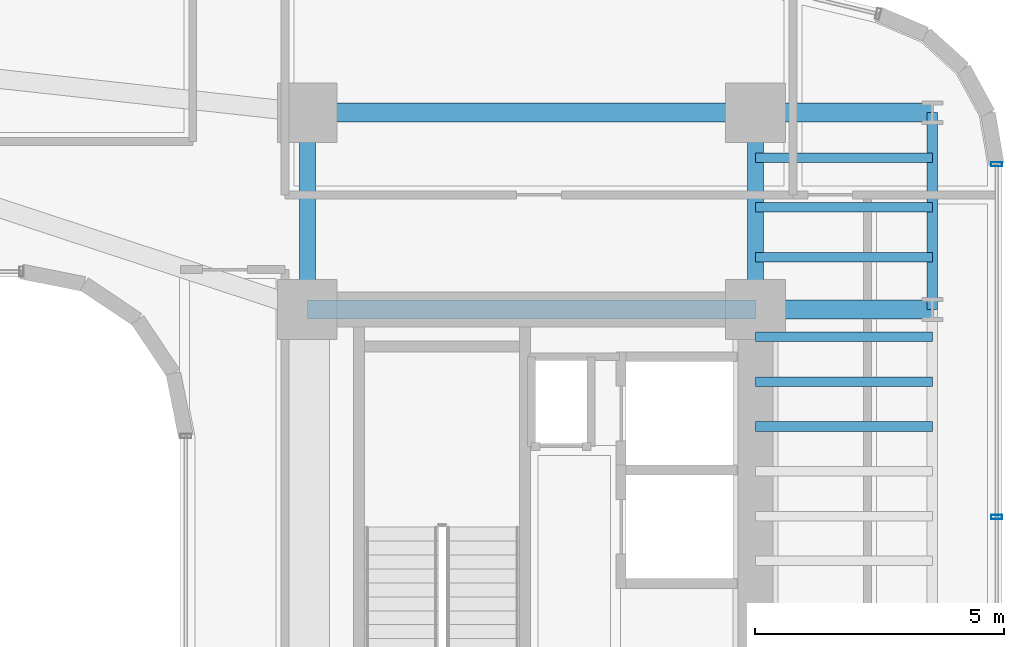
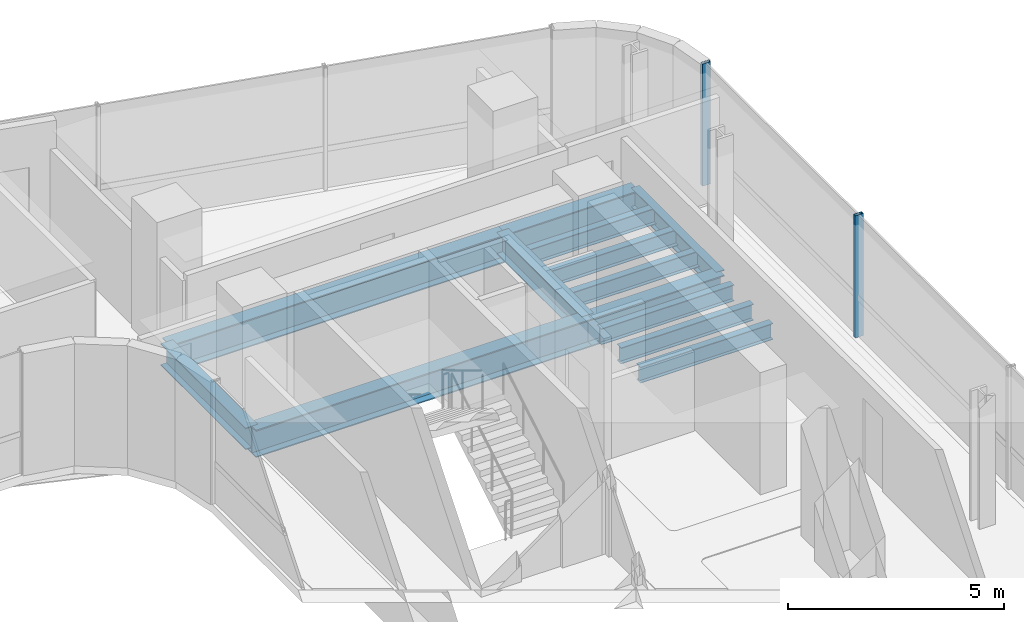
# One storey, part 18 of 35: 13 beams, 2 members, 1 element without a shape of its own.
"""IFC4 building model written with IfcOpenShell, lengths in metres."""

from ifc_helpers import new_model, si_unit, direction, frame, origin, origin_2d, place, context, subcontext, project, spatial, hollow_rectangle, i_section, extrude, source, transform, mapped, material, material_profile, profile_set, type_object, element, aggregate, save


model = new_model("IFC4")

# Units and contexts
model_context = context("Model", 3, precision=1e-05, world=origin(), true_north=direction((0.0, 1.0)))
body_context = subcontext(model_context, "Body", "Model", "MODEL_VIEW")
ifc_project = project(units=[si_unit("LENGTHUNIT", "METRE"), si_unit("AREAUNIT", "SQUARE_METRE"), si_unit("VOLUMEUNIT", "CUBIC_METRE"), si_unit("PLANEANGLEUNIT", "RADIAN"), si_unit("MASSUNIT", "GRAM", prefix="KILO")], contexts=[model_context])

# Site, building, storey
site_placement = place(None, origin())
site = spatial("IfcSite", under=ifc_project, at=site_placement, CompositionType="ELEMENT")
building_placement = place(site_placement, origin())
building = spatial("IfcBuilding", under=site, at=building_placement, Name="Valdorenza Pilgrim Sanctuary Tower", CompositionType="ELEMENT")
storey_placement = place(building_placement, frame((0.0, 0.0, 124.199951171875)))
storey = spatial("IfcBuildingStorey", under=building, at=storey_placement, Name="L31", CompositionType="ELEMENT", Elevation=124.199951171875)

# Beams
ifc_material_1 = material(Name="Steel ASTM A992 Grade 50", Category="steel")
ifc_material_profile_1 = material_profile(ifc_material_1, i_section(OverallWidth=0.323974609375, OverallDepth=0.611083984375, WebThickness=0.0126953125, FlangeThickness=0.01904296875, at=origin_2d()), Name="W24X104")
ifc_profile_set_1 = profile_set([ifc_material_profile_1], Name="Steel ASTM A992 Grade 50")
beam_type_1 = type_object("IfcBeamType", Name="STR-BM-GRD-W24B", PredefinedType="BEAM", material=ifc_profile_set_1)
shared_shape_1 = source(origin(), body_context, "Body", "SweptSolid", [
    extrude(i_section(OverallWidth=0.323974609375, OverallDepth=0.611083984375, WebThickness=0.0126953125, FlangeThickness=0.01904296875, at=origin_2d()), origin(), (0.0, 0.0, 1.0), 3.949951171875),
])
for number, where, z_axis, x_axis, name in (
    (1, (15.85009765625, 9.550048828125, -0.54541015625), (0.0, 1.0, 0.0), (-1.0, 0.0, 0.0), "L31 Core Tie Girder CB-W-N1N2"),
    (2, (24.85009765625, 9.550048828125, -0.54541015625), (0.0, 1.0, 0.0), (-1.0, 0.0, 0.0), "L31 Core Tie Girder CB-E-N1N2"),
):
    element("IfcBeam", number, at=place(storey_placement, frame(where, z_axis=z_axis, x_axis=x_axis)), inside=storey, type_object=beam_type_1, Name=name, PredefinedType="BEAM", context=body_context, shape_type="MappedRepresentation", body=[
        mapped(shared_shape_1, transform((0.0, 0.0, 0.0), x_axis=(1.0, 0.0, 0.0), y_axis=(0.0, 1.0, 0.0), z_axis=(0.0, 0.0, 1.0), scale=1.0)),
    ])
ifc_material_profile_2 = material_profile(ifc_material_1, i_section(OverallWidth=0.214111328125, OverallDepth=0.549072265625, WebThickness=0.0146484375, FlangeThickness=0.023681640625, at=origin_2d()), Name="W21X93")
ifc_profile_set_2 = profile_set([ifc_material_profile_2], Name="Steel ASTM A992 Grade 50")
beam_type_2 = type_object("IfcBeamType", Name="STR-BM-SPN-W21A", PredefinedType="SPANDREL", material=ifc_profile_set_2)
shared_shape_2 = source(origin(), body_context, "Body", "SweptSolid", [
    extrude(i_section(OverallWidth=0.214111328125, OverallDepth=0.549072265625, WebThickness=0.0146484375, FlangeThickness=0.023681640625, at=origin_2d()), origin(), (0.0, 0.0, 1.0), 3.949951171875),
])
beam_placement = place(storey_placement, frame((28.39990234375, 9.550048828125, -0.514404296875), z_axis=(0.0, 1.0, 0.0), x_axis=(-1.0, 0.0, 0.0)))
element("IfcBeam", 3, at=beam_placement, inside=storey, type_object=beam_type_2, Name="L31 Spandrel Beam WB-E-N1N2", PredefinedType="SPANDREL", context=body_context, shape_type="MappedRepresentation", body=[
    mapped(shared_shape_2, transform((0.0, 0.0, 0.0), x_axis=(1.0, 0.0, 0.0), y_axis=(0.0, 1.0, 0.0), z_axis=(0.0, 0.0, 1.0), scale=1.0)),
])
ifc_material_profile_3 = material_profile(ifc_material_1, i_section(OverallWidth=0.382080078125, OverallDepth=0.779052734375, WebThickness=0.01806640625, FlangeThickness=0.030029296875, at=origin_2d()), Name="W30X191")
ifc_profile_set_3 = profile_set([ifc_material_profile_3], Name="Steel ASTM A992 Grade 50")
beam_type_3 = type_object("IfcBeamType", Name="STR-BM-GRD-W30", PredefinedType="BEAM", material=ifc_profile_set_3)
shared_shape_3 = source(origin(), body_context, "Body", "SweptSolid", [
    extrude(i_section(OverallWidth=0.382080078125, OverallDepth=0.779052734375, WebThickness=0.01806640625, FlangeThickness=0.030029296875, at=origin_2d()), origin(), (0.0, 0.0, 1.0), 9.0),
])
for number, where, z_axis, x_axis, name in (
    (4, (15.85009765625, 9.550048828125, -0.62939453125), (1.0, 0.0, 0.0), (0.0, 1.0, 0.0), "L31 Floor Girder CB-XC-N1"),
    (5, (15.85009765625, 13.5, -0.62939453125), (1.0, 0.0, 0.0), (0.0, 1.0, 0.0), "L31 Floor Girder CB-XC-N2"),
):
    element("IfcBeam", number, at=place(storey_placement, frame(where, z_axis=z_axis, x_axis=x_axis)), inside=storey, type_object=beam_type_3, Name=name, PredefinedType="BEAM", context=body_context, shape_type="MappedRepresentation", body=[
        mapped(shared_shape_3, transform((0.0, 0.0, 0.0), x_axis=(1.0, 0.0, 0.0), y_axis=(0.0, 1.0, 0.0), z_axis=(0.0, 0.0, 1.0), scale=1.0)),
    ])
shared_shape_4 = source(origin(), body_context, "Body", "SweptSolid", [
    extrude(i_section(OverallWidth=0.382080078125, OverallDepth=0.779052734375, WebThickness=0.01806640625, FlangeThickness=0.030029296875, at=origin_2d()), origin(), (0.0, 0.0, 1.0), 3.5498046875),
])
for number, where, z_axis, x_axis, name in (
    (6, (24.85009765625, 9.550048828125, -0.62939453125), (1.0, 0.0, 0.0), (0.0, 1.0, 0.0), "L31 Floor Girder WB-XE-N1"),
    (7, (24.85009765625, 13.5, -0.62939453125), (1.0, 0.0, 0.0), (0.0, 1.0, 0.0), "L31 Floor Girder WB-XE-N2"),
):
    element("IfcBeam", number, at=place(storey_placement, frame(where, z_axis=z_axis, x_axis=x_axis)), inside=storey, type_object=beam_type_3, Name=name, PredefinedType="BEAM", context=body_context, shape_type="MappedRepresentation", body=[
        mapped(shared_shape_4, transform((0.0, 0.0, 0.0), x_axis=(1.0, 0.0, 0.0), y_axis=(0.0, 1.0, 0.0), z_axis=(0.0, 0.0, 1.0), scale=1.0)),
    ])
ifc_material_profile_4 = material_profile(ifc_material_1, i_section(OverallWidth=0.19091796875, OverallDepth=0.45703125, WebThickness=0.009033203125, FlangeThickness=0.014404296875, at=origin_2d()), Name="W18X50")
ifc_profile_set_4 = profile_set([ifc_material_profile_4], Name="Steel ASTM A992 Grade 50")
beam_type_4 = type_object("IfcBeamType", Name="STR-BM-JST-W18B", PredefinedType="JOIST", material=ifc_profile_set_4)
shared_shape_5 = source(origin(), body_context, "Body", "SweptSolid", [
    extrude(i_section(OverallWidth=0.19091796875, OverallDepth=0.45703125, WebThickness=0.009033203125, FlangeThickness=0.014404296875, at=origin_2d()), origin(), (0.0, 0.0, 1.0), 3.5498046875),
])
for number, where, z_axis, x_axis, name in (
    (8, (24.85009765625, 7.199951171875, -0.468505859375), (1.0, 0.0, 0.0), (0.0, 1.0, 0.0), "L31 Composite Floor Joist JST-WB-16"),
    (9, (24.85009765625, 8.10009765625, -0.468505859375), (1.0, 0.0, 0.0), (0.0, 1.0, 0.0), "L31 Composite Floor Joist JST-WB-17"),
    (10, (24.85009765625, 9.0, -0.468505859375), (1.0, 0.0, 0.0), (0.0, 1.0, 0.0), "L31 Composite Floor Joist JST-WB-18"),
    (11, (24.85009765625, 10.60009765625, -0.468505859375), (1.0, 0.0, 0.0), (0.0, 1.0, 0.0), "L31 Composite Floor Joist JST-WB-19"),
    (12, (24.85009765625, 11.60009765625, -0.468505859375), (1.0, 0.0, 0.0), (0.0, 1.0, 0.0), "L31 Composite Floor Joist JST-WB-20"),
    (13, (24.85009765625, 12.60009765625, -0.468505859375), (1.0, 0.0, 0.0), (0.0, 1.0, 0.0), "L31 Composite Floor Joist JST-WB-21"),
):
    element("IfcBeam", number, at=place(storey_placement, frame(where, z_axis=z_axis, x_axis=x_axis)), inside=storey, type_object=beam_type_4, Name=name, PredefinedType="JOIST", context=body_context, shape_type="MappedRepresentation", body=[
        mapped(shared_shape_5, transform((0.0, 0.0, 0.0), x_axis=(1.0, 0.0, 0.0), y_axis=(0.0, 1.0, 0.0), z_axis=(0.0, 0.0, 1.0), scale=1.0)),
    ])

# Curtain wall, members
ifc_material_2 = material(Name="Curtain-wall IGU glazing", Category="glass")
curtain_wall_type = type_object("IfcCurtainWallType", Name="CW-SYS-03", PredefinedType="NOTDEFINED", material=ifc_material_2)
curtain_wall_placement = place(storey_placement, origin())
curtain_wall = element("IfcCurtainWall", 14, at=curtain_wall_placement, inside=storey, type_object=curtain_wall_type, Name="L31 Curtain Wall CW-L31-1-21", PredefinedType="NOTDEFINED")
ifc_material_3 = material(Name="Anodised aluminium AW-6060", Category="aluminium")
ifc_material_profile_5 = material_profile(ifc_material_3, hollow_rectangle(XDim=0.0849609375, YDim=0.219970703125, WallThickness=0.0048828125, at=origin_2d()), Name="ALU-M 220x85x5")
ifc_profile_set_5 = profile_set([ifc_material_profile_5], Name="Anodised aluminium AW-6060")
member_type = type_object("IfcMemberType", Name="CW-MUL-03", PredefinedType="MULLION", material=ifc_profile_set_5)
shared_shape_6 = source(origin(), body_context, "Body", "SweptSolid", [
    extrude(hollow_rectangle(XDim=0.0849609375, YDim=0.219970703125, WallThickness=0.0048828125, at=origin_2d()), origin(), (0.0, 0.0, 1.0), 3.4599609375),
])
member_1_placement = place(storey_placement, frame((29.68994140625, 12.46630859375, 0.0), z_axis=(0.0, 0.0, 1.0), x_axis=(0.0, -1.0, 0.0)))
member_1 = element("IfcMember", 15, at=member_1_placement, type_object=member_type, Name="CW-L31-1-21 Mullion 1", PredefinedType="MULLION", context=body_context, shape_type="MappedRepresentation", body=[
    mapped(shared_shape_6, transform((0.0, 0.0, 0.0), x_axis=(1.0, 0.0, 0.0), y_axis=(0.0, 1.0, 0.0), z_axis=(0.0, 0.0, 1.0), scale=1.0)),
])
member_2_placement = place(storey_placement, frame((29.68994140625, 5.381103515625, 0.0), z_axis=(0.0, 0.0, 1.0), x_axis=(0.0, -1.0, 0.0)))
member_2 = element("IfcMember", 16, at=member_2_placement, type_object=member_type, Name="CW-L31-1-21 Mullion 2", PredefinedType="MULLION", context=body_context, shape_type="MappedRepresentation", body=[
    mapped(shared_shape_6, transform((0.0, 0.0, 0.0), x_axis=(1.0, 0.0, 0.0), y_axis=(0.0, 1.0, 0.0), z_axis=(0.0, 0.0, 1.0), scale=1.0)),
])
aggregate(curtain_wall, [member_1, member_2])

save(model, "model.ifc")
